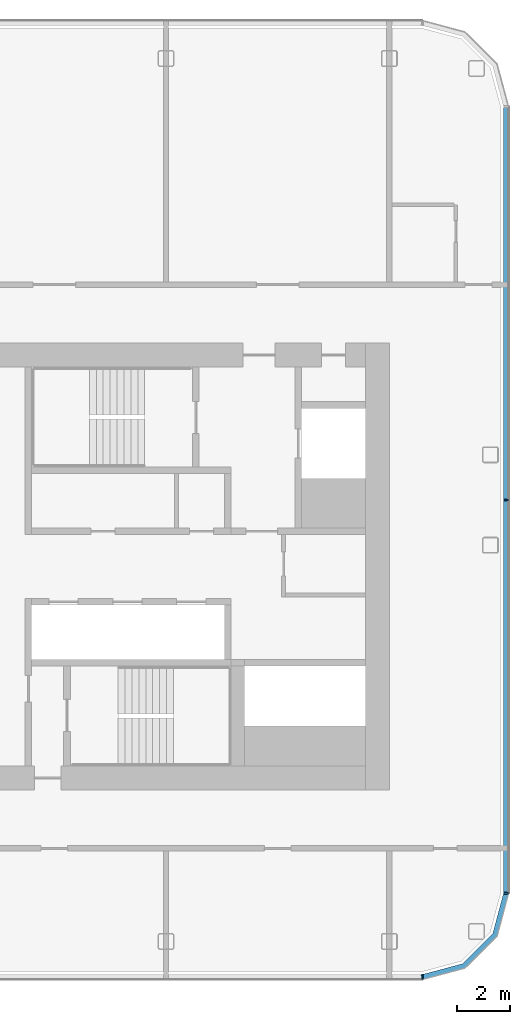
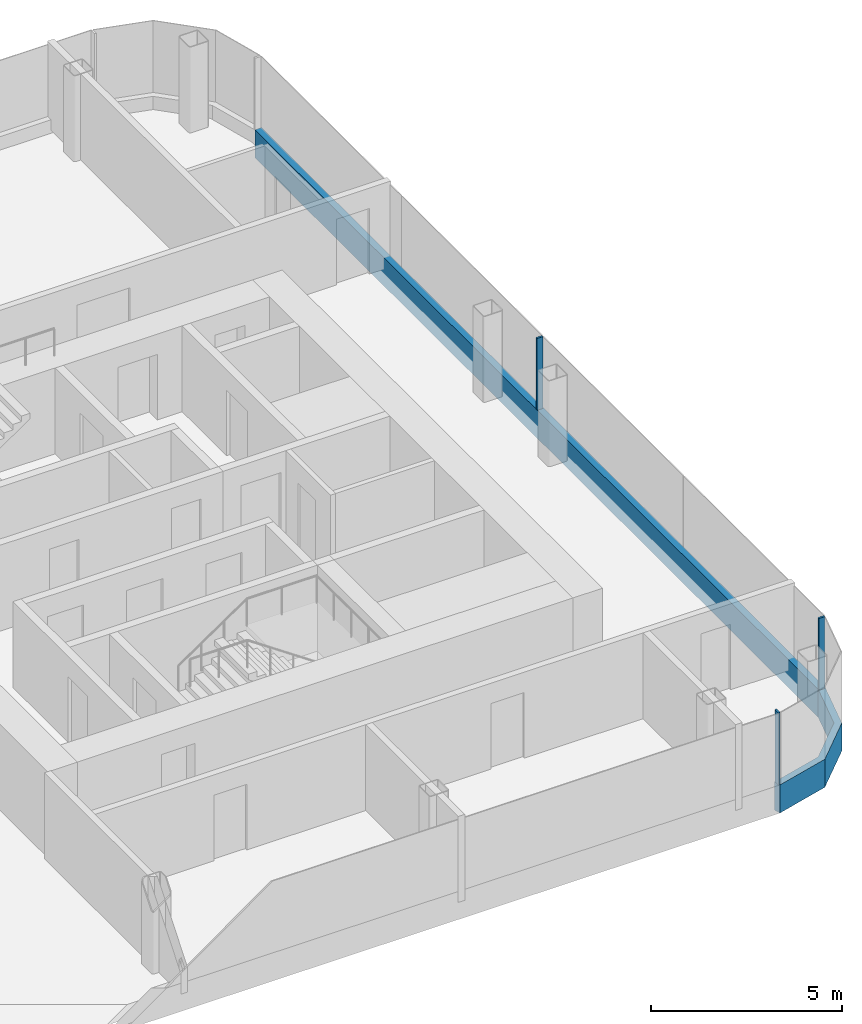
# One storey, part 10 of 26: 5 members, 3 elements without a shape of their own.
"""IFC4 building model written with IfcOpenShell, lengths in metres."""

from ifc_helpers import new_model, si_unit, direction, frame, origin, origin_2d, place, context, subcontext, project, spatial, polyline, rectangle, outline, extrude, material, layer, layer_set, material_profile, profile_set, type_object, element, aggregate, save


model = new_model("IFC4")

# Units and contexts
model_context = context("Model", 3, precision=1e-05, world=origin(), true_north=direction((0.0, 1.0)))
body_context = subcontext(model_context, "Body", "Model", "MODEL_VIEW")
ifc_project = project(units=[si_unit("LENGTHUNIT", "METRE"), si_unit("AREAUNIT", "SQUARE_METRE"), si_unit("VOLUMEUNIT", "CUBIC_METRE"), si_unit("PLANEANGLEUNIT", "RADIAN"), si_unit("MASSUNIT", "GRAM", prefix="KILO")], contexts=[model_context])

# Site, building, storey
site_placement = place(None, origin())
site = spatial("IfcSite", under=ifc_project, at=site_placement, CompositionType="ELEMENT")
building_placement = place(site_placement, origin())
building = spatial("IfcBuilding", under=site, at=building_placement, Name="Hakoniwa Tower and Hamabe Station Hall", CompositionType="ELEMENT")
storey_placement = place(building_placement, frame((0.0, 0.0, 196.199951171875)))
storey = spatial("IfcBuildingStorey", under=building, at=storey_placement, Name="L55", CompositionType="ELEMENT", Elevation=196.199951171875)

# Curtain wall, member
ifc_material_1 = material(Name="Dark low-e laminated glass", Category="glass")
ifc_layer = layer(ifc_material_1, 0.199951171875)
ifc_layer_set = layer_set([ifc_layer], Name="CW-1 UNITISED GUEST")
curtain_wall_type = type_object("IfcCurtainWallType", Name="CW-1 UNITISED GUEST", PredefinedType="NOTDEFINED", material=ifc_layer_set)
curtain_wall_1_placement = place(storey_placement, origin())
curtain_wall_1 = element("IfcCurtainWall", 1, at=curtain_wall_1_placement, inside=storey, type_object=curtain_wall_type, Name="CW-1 curtain wall", PredefinedType="NOTDEFINED")
ifc_material_2 = material(Name="Aluminium 6063-T5 black anodised", Category="aluminium")
ifc_material_profile_1 = material_profile(ifc_material_2, rectangle(XDim=0.199951171875, YDim=0.89990234375, at=origin_2d()), Name="CW SLAB-EDGE BAND 900X200")
ifc_profile_set_1 = profile_set([ifc_material_profile_1], Name="Aluminium 6063-T5 black anodised")
member_type_1 = type_object("IfcMemberType", Name="CW SLAB-EDGE BAND 900X200", PredefinedType="USERDEFINED", material=ifc_profile_set_1)
member_1_placement = place(storey_placement, frame((38.0, -12.28955078125, -0.099853515625), z_axis=(0.0, 1.0, 0.0), x_axis=(-1.0, 0.0, 0.0)))
member_1 = element("IfcMember", 2, at=member_1_placement, type_object=member_type_1, Name="CW-1 transom", ObjectType="TRANSOM", PredefinedType="USERDEFINED", context=body_context, shape_type="SweptSolid", body=[
    extrude(rectangle(XDim=0.199951171875, YDim=0.89990234375, at=origin_2d()), origin(), (0.0, 0.0, 1.0), 29.5791015625),
])

curtain_wall_2_placement = place(storey_placement, origin())
curtain_wall_2 = element("IfcCurtainWall", 3, at=curtain_wall_2_placement, inside=storey, type_object=curtain_wall_type, Name="CW-1 curtain wall", PredefinedType="NOTDEFINED")
member_2_placement = place(storey_placement, frame((0.0, 0.0, -0.550048828125)))
member_2 = element("IfcMember", 4, at=member_2_placement, type_object=member_type_1, Name="CW-1 transom", ObjectType="TRANSOM", PredefinedType="USERDEFINED", context=body_context, shape_type="SweptSolid", body=[
    extrude(outline(polyline([(34.839599609375, -15.550048828125), (36.455322265625, -15.116943359375), (37.6669921875, -13.9052734375), (38.10009765625, -12.28955078125), (37.90673828125, -12.23779296875), (37.48779296875, -13.8017578125), (36.351806640625, -14.937744140625), (34.787841796875, -15.35693359375), (34.839599609375, -15.550048828125)])), origin(), (0.0, 0.0, 1.0), 0.900146484375),
])
aggregate(curtain_wall_2, [member_2])

# Member
ifc_material_3 = material(Name="Aluminium 6063-T5 black anodised", Category="aluminium")
ifc_material_profile_2 = material_profile(ifc_material_3, rectangle(XDim=0.06005859375, YDim=0.179931640625, at=origin_2d()), Name="CW-1 MULLION 60X180")
ifc_profile_set_2 = profile_set([ifc_material_profile_2], Name="Aluminium 6063-T5 black anodised")
member_type_2 = type_object("IfcMemberType", Name="CW-1 MULLION 60X180", PredefinedType="MULLION", material=ifc_profile_set_2)
member_3_placement = place(storey_placement, frame((37.98193359375, -12.28955078125, 0.35009765625), z_axis=(0.0, 0.0, 1.0), x_axis=(0.0, 1.0, 0.0)))
member_3 = element("IfcMember", 5, at=member_3_placement, type_object=member_type_2, Name="CW-1 mullion", PredefinedType="MULLION", context=body_context, shape_type="SweptSolid", body=[
    extrude(rectangle(XDim=0.06005859375, YDim=0.179931640625, at=origin_2d()), origin(), (0.0, 0.0, 1.0), 2.300048828125),
])

member_4_placement = place(storey_placement, frame((37.98193359375, 2.5, 0.35009765625), z_axis=(0.0, 0.0, 1.0), x_axis=(0.0, 1.0, 0.0)))
member_4 = element("IfcMember", 6, at=member_4_placement, type_object=member_type_2, Name="CW-1 mullion", PredefinedType="MULLION", context=body_context, shape_type="SweptSolid", body=[
    extrude(rectangle(XDim=0.06005859375, YDim=0.179931640625, at=origin_2d()), origin(), (0.0, 0.0, 1.0), 2.300048828125),
])

aggregate(curtain_wall_1, [member_3, member_4, member_1])

# Curtain wall, member
curtain_wall_3_placement = place(storey_placement, origin())
curtain_wall_3 = element("IfcCurtainWall", 7, at=curtain_wall_3_placement, inside=storey, type_object=curtain_wall_type, Name="CW-1 curtain wall", PredefinedType="NOTDEFINED")
member_5_placement = place(storey_placement, frame((34.839599609375, -15.431884765625, 0.35009765625), z_axis=(0.0, 0.0, 1.0), x_axis=(1.0, 0.0, 0.0)))
member_5 = element("IfcMember", 8, at=member_5_placement, type_object=member_type_2, Name="CW-1 mullion", PredefinedType="MULLION", context=body_context, shape_type="SweptSolid", body=[
    extrude(rectangle(XDim=0.06005859375, YDim=0.179931640625, at=origin_2d()), origin(), (0.0, 0.0, 1.0), 2.300048828125),
])
aggregate(curtain_wall_3, [member_5])

save(model, "model.ifc")
